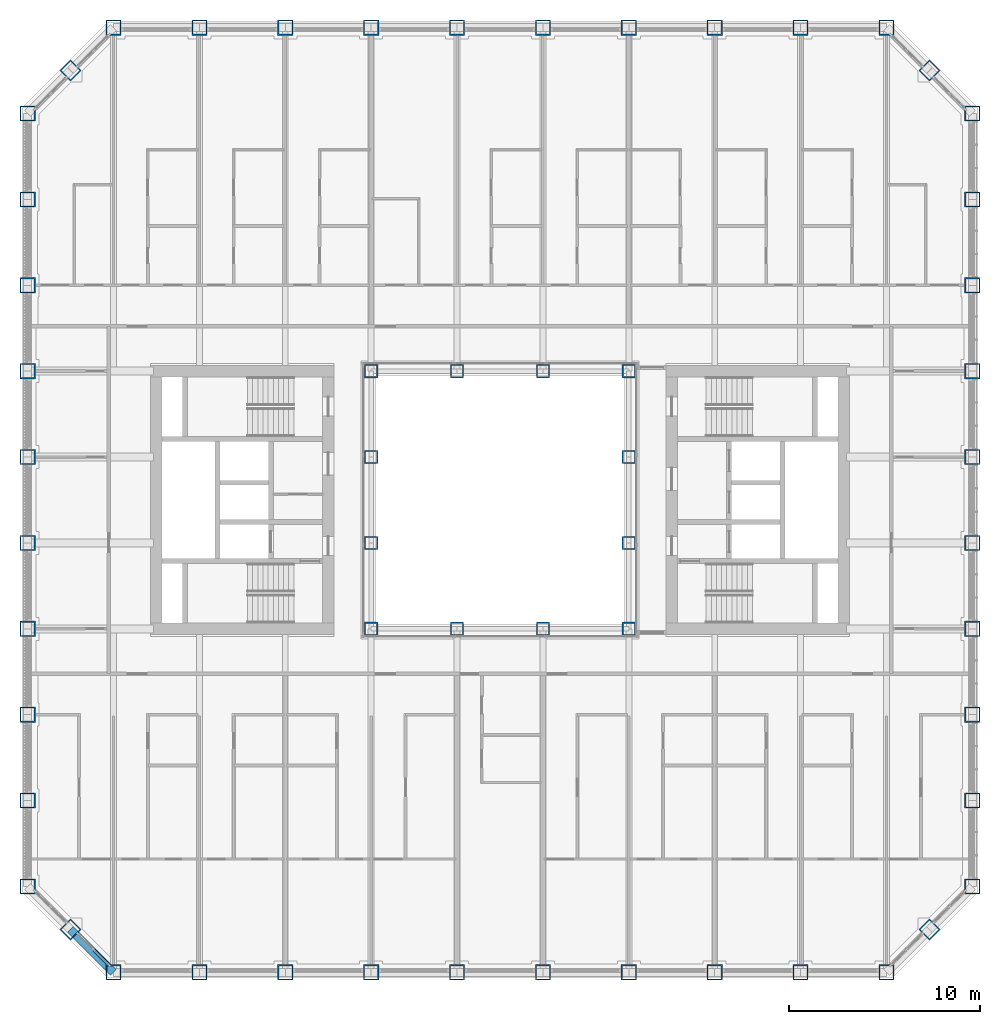
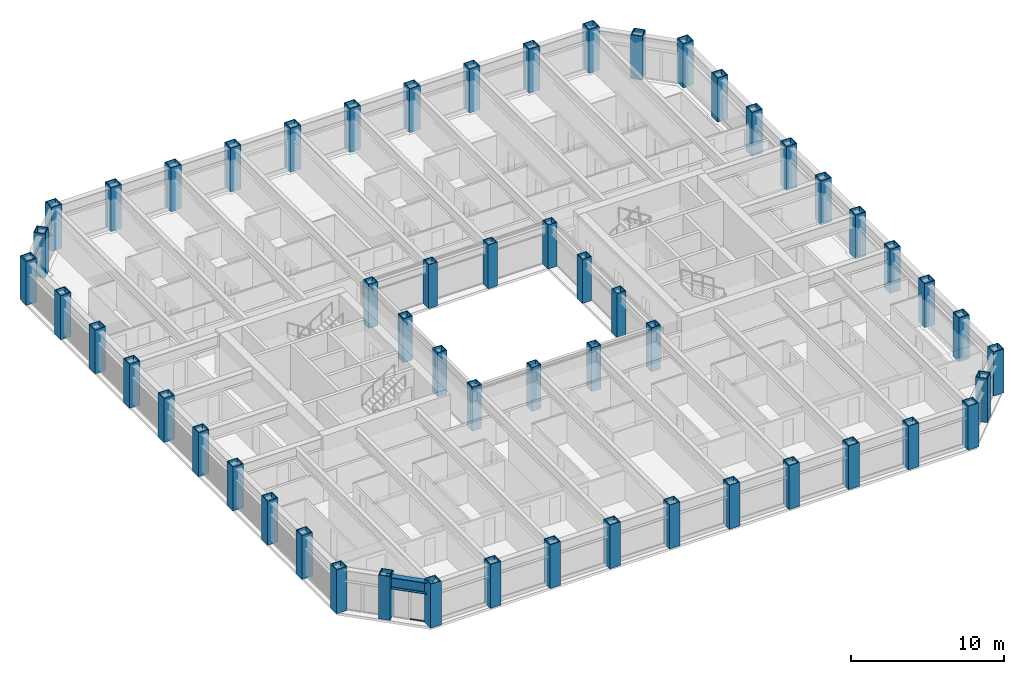
# One storey, part 1 of 21: 56 columns, 2 members, 1 beam, 1 element without a shape of its own.
"""IFC4 building model written with IfcOpenShell, lengths in metres."""

from ifc_helpers import new_model, si_unit, direction, frame, origin, origin_2d, place, context, subcontext, project, spatial, rectangle, hollow_rectangle, i_section, extrude, material, material_profile, profile_set, type_object, element, aggregate, save


model = new_model("IFC4")

# Units and contexts
model_context = context("Model", 3, precision=1e-05, world=origin(), true_north=direction((0.0, 1.0)))
body_context = subcontext(model_context, "Body", "Model", "MODEL_VIEW")
ifc_project = project(units=[si_unit("LENGTHUNIT", "METRE"), si_unit("AREAUNIT", "SQUARE_METRE"), si_unit("VOLUMEUNIT", "CUBIC_METRE"), si_unit("PLANEANGLEUNIT", "RADIAN"), si_unit("MASSUNIT", "GRAM", prefix="KILO")], contexts=[model_context])

# Site, building, storey
site_placement = place(None, origin())
site = spatial("IfcSite", under=ifc_project, at=site_placement, CompositionType="ELEMENT")
building_placement = place(site_placement, origin())
building = spatial("IfcBuilding", under=site, at=building_placement, Name="Msasa Ring Tower", CompositionType="ELEMENT")
storey_placement = place(building_placement, frame((0.0, 0.0, 68.5)))
storey = spatial("IfcBuildingStorey", under=building, at=storey_placement, Name="L17", CompositionType="ELEMENT", Elevation=68.5)

# Columns
ifc_material_1 = material(Name="Steel S355", Category="steel")
ifc_material_profile_1 = material_profile(ifc_material_1, hollow_rectangle(XDim=0.699951171875, YDim=0.699951171875, WallThickness=0.06005859375, at=origin_2d()), Name="BOX 700x700x60")
ifc_profile_set_1 = profile_set([ifc_material_profile_1], Name="Steel S355")
column_type_1 = type_object("IfcColumnType", Name="IC2 BOX 700x700x60", PredefinedType="COLUMN", material=ifc_profile_set_1)
for number, where, z_axis, x_axis, name in (
    (1, (-6.75, -6.75, 0.0), (0.0, 0.0, 1.0), (1.0, 0.0, 0.0), "Inner ring column IR-6.75-6.75 L17"),
    (2, (-6.75, -2.25, 0.0), (0.0, 0.0, 1.0), (1.0, 0.0, 0.0), "Inner ring column IR-6.75-2.25 L17"),
    (3, (-6.75, 2.25, 0.0), (0.0, 0.0, 1.0), (1.0, 0.0, 0.0), "Inner ring column IR-6.75+2.25 L17"),
    (4, (-6.75, 6.75, 0.0), (0.0, 0.0, 1.0), (1.0, 0.0, 0.0), "Inner ring column IR-6.75+6.75 L17"),
    (5, (-2.25, -6.75, 0.0), (0.0, 0.0, 1.0), (1.0, 0.0, 0.0), "Inner ring column IR-2.25-6.75 L17"),
    (6, (-2.25, 6.75, 0.0), (0.0, 0.0, 1.0), (1.0, 0.0, 0.0), "Inner ring column IR-2.25+6.75 L17"),
    (7, (2.25, -6.75, 0.0), (0.0, 0.0, 1.0), (1.0, 0.0, 0.0), "Inner ring column IR+2.25-6.75 L17"),
    (8, (2.25, 6.75, 0.0), (0.0, 0.0, 1.0), (1.0, 0.0, 0.0), "Inner ring column IR+2.25+6.75 L17"),
    (9, (6.75, -6.75, 0.0), (0.0, 0.0, 1.0), (1.0, 0.0, 0.0), "Inner ring column IR+6.75-6.75 L17"),
    (10, (6.75, -2.25, 0.0), (0.0, 0.0, 1.0), (1.0, 0.0, 0.0), "Inner ring column IR+6.75-2.25 L17"),
    (11, (6.75, 2.25, 0.0), (0.0, 0.0, 1.0), (1.0, 0.0, 0.0), "Inner ring column IR+6.75+2.25 L17"),
    (12, (6.75, 6.75, 0.0), (0.0, 0.0, 1.0), (1.0, 0.0, 0.0), "Inner ring column IR+6.75+6.75 L17"),
):
    element("IfcColumn", number, at=place(storey_placement, frame(where, z_axis=z_axis, x_axis=x_axis)), inside=storey, type_object=column_type_1, Name=name, PredefinedType="COLUMN", context=body_context, shape_type="SweptSolid", body=[
        extrude(hollow_rectangle(XDim=0.699951171875, YDim=0.699951171875, WallThickness=0.06005859375, at=origin_2d()), origin(), (0.0, 0.0, 1.0), 3.5),
    ])
ifc_material_2 = material(Name="Steel S355", Category="steel")
ifc_material_profile_2 = material_profile(ifc_material_2, hollow_rectangle(XDim=0.800048828125, YDim=0.800048828125, WallThickness=0.06005859375, at=origin_2d()), Name="BOX 800x800x60")
ifc_profile_set_2 = profile_set([ifc_material_profile_2], Name="Steel S355")
column_type_2 = type_object("IfcColumnType", Name="TC3 BOX 800x800x60", PredefinedType="COLUMN", material=ifc_profile_set_2)
for number, where, z_axis, x_axis, name in (
    (13, (-20.25, -24.75, 0.0), (0.0, 0.0, 1.0), (0.0, 1.0, 0.0), "Tube column S-20.25 L17"),
    (14, (-20.25, 24.75, 0.0), (0.0, 0.0, 1.0), (0.0, 1.0, 0.0), "Tube column N-20.25 L17"),
    (15, (24.75, -20.25, 0.0), (0.0, 0.0, 1.0), (1.0, 0.0, 0.0), "Tube column E-20.25 L17"),
    (16, (-24.75, -20.25, 0.0), (0.0, 0.0, 1.0), (1.0, 0.0, 0.0), "Tube column W-20.25 L17"),
    (17, (-15.75, -24.75, 0.0), (0.0, 0.0, 1.0), (0.0, 1.0, 0.0), "Tube column S-15.75 L17"),
    (18, (-15.75, 24.75, 0.0), (0.0, 0.0, 1.0), (0.0, 1.0, 0.0), "Tube column N-15.75 L17"),
    (19, (24.75, -15.75, 0.0), (0.0, 0.0, 1.0), (1.0, 0.0, 0.0), "Tube column E-15.75 L17"),
    (20, (-24.75, -15.75, 0.0), (0.0, 0.0, 1.0), (1.0, 0.0, 0.0), "Tube column W-15.75 L17"),
    (21, (-11.25, -24.75, 0.0), (0.0, 0.0, 1.0), (0.0, 1.0, 0.0), "Tube column S-11.25 L17"),
    (22, (-11.25, 24.75, 0.0), (0.0, 0.0, 1.0), (0.0, 1.0, 0.0), "Tube column N-11.25 L17"),
    (23, (24.75, -11.25, 0.0), (0.0, 0.0, 1.0), (1.0, 0.0, 0.0), "Tube column E-11.25 L17"),
    (24, (-24.75, -11.25, 0.0), (0.0, 0.0, 1.0), (1.0, 0.0, 0.0), "Tube column W-11.25 L17"),
    (25, (-6.75, -24.75, 0.0), (0.0, 0.0, 1.0), (0.0, 1.0, 0.0), "Tube column S-6.75 L17"),
    (26, (-6.75, 24.75, 0.0), (0.0, 0.0, 1.0), (0.0, 1.0, 0.0), "Tube column N-6.75 L17"),
    (27, (24.75, -6.75, 0.0), (0.0, 0.0, 1.0), (1.0, 0.0, 0.0), "Tube column E-6.75 L17"),
    (28, (-24.75, -6.75, 0.0), (0.0, 0.0, 1.0), (1.0, 0.0, 0.0), "Tube column W-6.75 L17"),
    (29, (-2.25, -24.75, 0.0), (0.0, 0.0, 1.0), (0.0, 1.0, 0.0), "Tube column S-2.25 L17"),
    (30, (-2.25, 24.75, 0.0), (0.0, 0.0, 1.0), (0.0, 1.0, 0.0), "Tube column N-2.25 L17"),
    (31, (24.75, -2.25, 0.0), (0.0, 0.0, 1.0), (1.0, 0.0, 0.0), "Tube column E-2.25 L17"),
    (32, (-24.75, -2.25, 0.0), (0.0, 0.0, 1.0), (1.0, 0.0, 0.0), "Tube column W-2.25 L17"),
    (33, (2.25, -24.75, 0.0), (0.0, 0.0, 1.0), (0.0, 1.0, 0.0), "Tube column S+2.25 L17"),
    (34, (2.25, 24.75, 0.0), (0.0, 0.0, 1.0), (0.0, 1.0, 0.0), "Tube column N+2.25 L17"),
    (35, (24.75, 2.25, 0.0), (0.0, 0.0, 1.0), (1.0, 0.0, 0.0), "Tube column E+2.25 L17"),
    (36, (-24.75, 2.25, 0.0), (0.0, 0.0, 1.0), (1.0, 0.0, 0.0), "Tube column W+2.25 L17"),
    (37, (6.75, -24.75, 0.0), (0.0, 0.0, 1.0), (0.0, 1.0, 0.0), "Tube column S+6.75 L17"),
    (38, (6.75, 24.75, 0.0), (0.0, 0.0, 1.0), (0.0, 1.0, 0.0), "Tube column N+6.75 L17"),
    (39, (24.75, 6.75, 0.0), (0.0, 0.0, 1.0), (1.0, 0.0, 0.0), "Tube column E+6.75 L17"),
    (40, (-24.75, 6.75, 0.0), (0.0, 0.0, 1.0), (1.0, 0.0, 0.0), "Tube column W+6.75 L17"),
    (41, (11.25, -24.75, 0.0), (0.0, 0.0, 1.0), (0.0, 1.0, 0.0), "Tube column S+11.25 L17"),
    (42, (11.25, 24.75, 0.0), (0.0, 0.0, 1.0), (0.0, 1.0, 0.0), "Tube column N+11.25 L17"),
    (43, (24.75, 11.25, 0.0), (0.0, 0.0, 1.0), (1.0, 0.0, 0.0), "Tube column E+11.25 L17"),
    (44, (-24.75, 11.25, 0.0), (0.0, 0.0, 1.0), (1.0, 0.0, 0.0), "Tube column W+11.25 L17"),
    (45, (15.75, -24.75, 0.0), (0.0, 0.0, 1.0), (0.0, 1.0, 0.0), "Tube column S+15.75 L17"),
    (46, (15.75, 24.75, 0.0), (0.0, 0.0, 1.0), (0.0, 1.0, 0.0), "Tube column N+15.75 L17"),
    (47, (24.75, 15.75, 0.0), (0.0, 0.0, 1.0), (1.0, 0.0, 0.0), "Tube column E+15.75 L17"),
    (48, (-24.75, 15.75, 0.0), (0.0, 0.0, 1.0), (1.0, 0.0, 0.0), "Tube column W+15.75 L17"),
    (49, (20.25, -24.75, 0.0), (0.0, 0.0, 1.0), (0.0, 1.0, 0.0), "Tube column S+20.25 L17"),
    (50, (20.25, 24.75, 0.0), (0.0, 0.0, 1.0), (0.0, 1.0, 0.0), "Tube column N+20.25 L17"),
    (51, (24.75, 20.25, 0.0), (0.0, 0.0, 1.0), (1.0, 0.0, 0.0), "Tube column E+20.25 L17"),
    (52, (-24.75, 20.25, 0.0), (0.0, 0.0, 1.0), (1.0, 0.0, 0.0), "Tube column W+20.25 L17"),
    (53, (22.5, -22.5, 0.0), (0.0, 0.0, 1.0), (0.707106781187, -0.707106781187, 0.0), "Tube column SE L17"),
    (54, (22.5, 22.5, 0.0), (0.0, 0.0, 1.0), (0.707106781187, 0.707106781187, 0.0), "Tube column NE L17"),
    (55, (-22.5, 22.5, 0.0), (0.0, 0.0, 1.0), (0.707106781187, -0.707106781187, 0.0), "Tube column NW L17"),
    (56, (-22.5, -22.5, 0.0), (0.0, 0.0, 1.0), (0.707106781187, 0.707106781187, 0.0), "Tube column SW L17"),
):
    element("IfcColumn", number, at=place(storey_placement, frame(where, z_axis=z_axis, x_axis=x_axis)), inside=storey, type_object=column_type_2, Name=name, PredefinedType="COLUMN", context=body_context, shape_type="SweptSolid", body=[
        extrude(hollow_rectangle(XDim=0.800048828125, YDim=0.800048828125, WallThickness=0.06005859375, at=origin_2d()), origin(), (0.0, 0.0, 1.0), 3.5),
    ])

# Curtain wall, members
ifc_material_3 = material(Name="Aluminium curtain wall with clear glass", Category="aluminium")
curtain_wall_type = type_object("IfcCurtainWallType", Name="CW-C CHAMFER CORNER CURTAIN WALL", PredefinedType="NOTDEFINED", material=ifc_material_3)
curtain_wall_placement = place(storey_placement, origin())
curtain_wall = element("IfcCurtainWall", 57, at=curtain_wall_placement, inside=storey, type_object=curtain_wall_type, Name="Chamfer corner curtain wall SW L17", PredefinedType="NOTDEFINED")
ifc_material_4 = material(Name="Aluminium transom", Category="aluminium")
ifc_material_profile_3 = material_profile(ifc_material_4, rectangle(XDim=0.139892578125, YDim=0.06494140625, at=origin_2d()), Name="AL 65x140")
ifc_profile_set_3 = profile_set([ifc_material_profile_3], Name="Aluminium transom")
member_type = type_object("IfcMemberType", Name="CW-C TRANSOM 65x140", PredefinedType="USERDEFINED", material=ifc_profile_set_3)
member_1_placement = place(storey_placement, frame((-21.28125, -23.577392578125, 0.032470703125), z_axis=(0.707106781187, -0.707106781187, 0.0), x_axis=(0.707106781187, 0.707106781187, 0.0)))
member_1 = element("IfcMember", 58, at=member_1_placement, type_object=member_type, Name="CW-C transom 2.1", ObjectType="TRANSOM", PredefinedType="USERDEFINED", context=body_context, shape_type="SweptSolid", body=[
    extrude(rectangle(XDim=0.139892578125, YDim=0.06494140625, at=origin_2d()), origin(), (0.0, 0.0, 1.0), 1.08837890625),
])
member_2_placement = place(storey_placement, frame((-21.28125, -23.577392578125, 2.346435546875), z_axis=(0.707106781187, -0.707106781187, 0.0), x_axis=(0.707106781187, 0.707106781187, 0.0)))
member_2 = element("IfcMember", 59, at=member_2_placement, type_object=member_type, Name="CW-C transom 2.2", ObjectType="TRANSOM", PredefinedType="USERDEFINED", context=body_context, shape_type="SweptSolid", body=[
    extrude(rectangle(XDim=0.139892578125, YDim=0.06494140625, at=origin_2d()), origin(), (0.0, 0.0, 1.0), 1.08837890625),
])
aggregate(curtain_wall, [member_1, member_2])

# Beam
ifc_material_5 = material(Name="Steel S355", Category="steel")
ifc_material_profile_4 = material_profile(ifc_material_5, i_section(OverallWidth=0.42041015625, OverallDepth=0.9208984375, WebThickness=0.021484375, FlangeThickness=0.03662109375, FilletRadius=0.024169921875, at=origin_2d()), Name="UB 914x419x388")
ifc_profile_set_4 = profile_set([ifc_material_profile_4], Name="Steel S355")
beam_type = type_object("IfcBeamType", Name="SB1 UB 914x419x388", PredefinedType="SPANDREL", material=ifc_profile_set_4)
beam_placement = place(storey_placement, frame((-22.5, -22.5, 2.839599609375), z_axis=(0.707106781187, -0.707106781187, 0.0), x_axis=(0.707106781187, 0.707106781187, 0.0)))
element("IfcBeam", 60, at=beam_placement, inside=storey, type_object=beam_type, Name="Spandrel SW to S-20.25 under L18", PredefinedType="SPANDREL", context=body_context, shape_type="SweptSolid", body=[
    extrude(i_section(OverallWidth=0.42041015625, OverallDepth=0.9208984375, WebThickness=0.021484375, FlangeThickness=0.03662109375, FilletRadius=0.024169921875, at=origin_2d()), origin(), (0.0, 0.0, 1.0), 3.181884765625),
])

save(model, "model.ifc")
